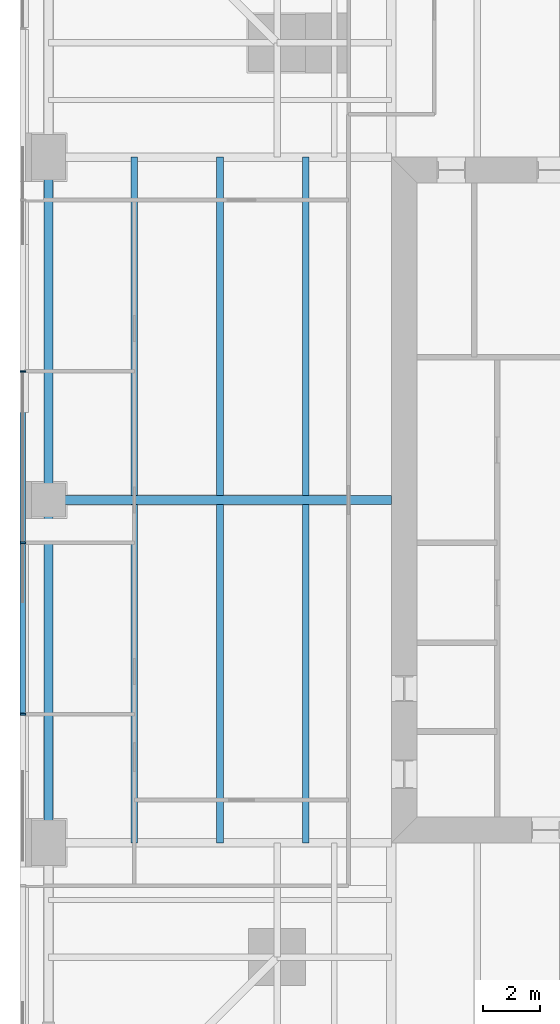
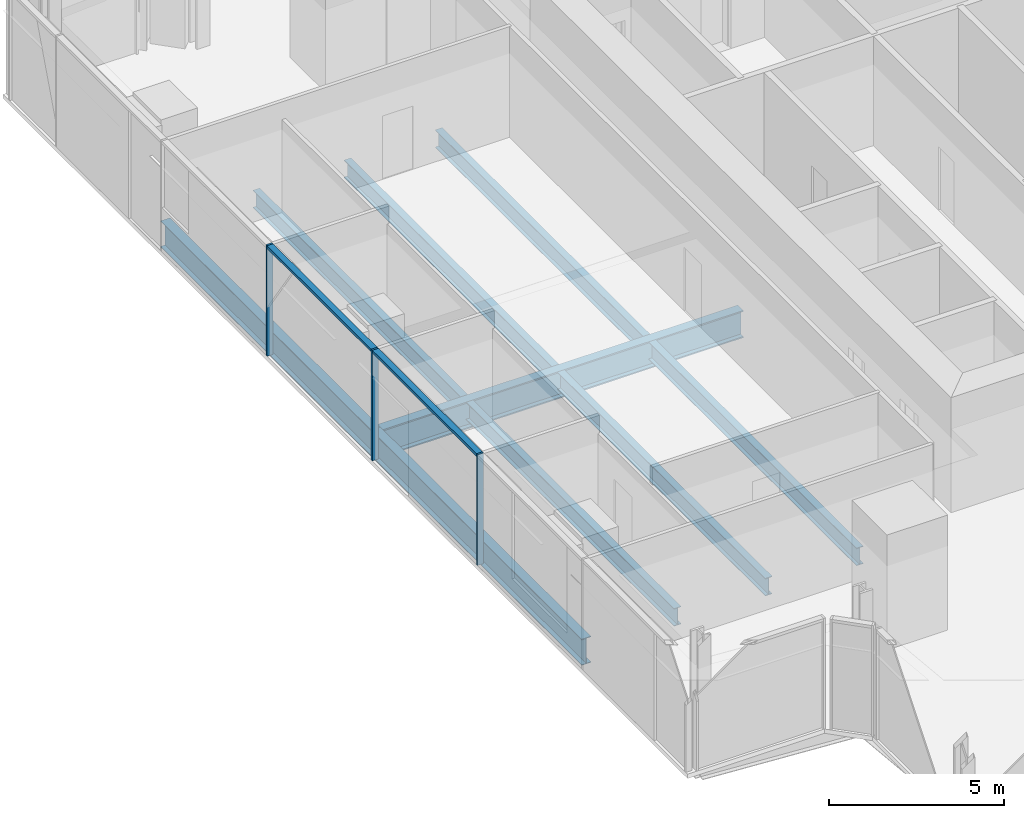
# One storey, part 4 of 14: 9 beams, 5 members, 1 element without a shape of its own.
"""IFC4 building model written with IfcOpenShell, lengths in metres."""

import ifcopenshell
import ifcopenshell.guid

model = None  # the IFC model being written
_history = None  # IfcOwnerHistory: only IFC2X3 demands one
_inside = {}  # id of a spatial element -> (the spatial element, [elements in it])
_under = {}  # id of a project, library or spatial element -> (it, [spatial elements below it])
_declared = {}  # id of a project -> (the project, [libraries it declares])
_typed = {}  # id of a type object -> (the type object, [elements of that type])
_made_of = {}  # id of a material, layer set ... -> (it, [elements and type objects made of it])


def new_model(schema):
    """Start an empty IFC model of exactly this schema.

    Asked for "IFC4X3", IfcOpenShell would pick the latest addendum, in which some entities
    have other attributes; the version numbers below select the first issue.
    IFC2X3 requires an IfcOwnerHistory on every rooted entity: one is made here for all.
    """
    global model, _history
    if schema == "IFC4X3":
        model = ifcopenshell.file(schema_version=(4, 3, 0, 0))
    else:
        model = ifcopenshell.file(schema=schema)
    _inside.clear()
    _under.clear()
    _declared.clear()
    _typed.clear()
    _made_of.clear()
    _history = None
    if model.schema == "IFC2X3":
        org = make("IfcOrganization", Name="unknown")
        user = make(
            "IfcPersonAndOrganization",
            ThePerson=make("IfcPerson", FamilyName="unknown"),
            TheOrganization=org,
        )
        app = make(
            "IfcApplication",
            ApplicationDeveloper=org,
            Version="unknown",
            ApplicationFullName="unknown",
            ApplicationIdentifier="unknown",
        )
        _history = make(
            "IfcOwnerHistory",
            OwningUser=user,
            OwningApplication=app,
            ChangeAction="ADDED",
            CreationDate=0,
        )
    return model


def make(cls, **values):
    """One entity of the class cls with the attributes given. An attribute that is None is left unset."""
    return model.create_entity(
        cls, **{name: value for name, value in values.items() if value is not None}
    )


def rooted(cls, **values):
    """An entity with a GlobalId (a new one), such as an element, a storey or a relation."""
    return make(cls, GlobalId=ifcopenshell.guid.new(), OwnerHistory=_history, **values)


def si_unit(unit_type, name, prefix=None):
    """IfcSIUnit, for example si_unit("LENGTHUNIT", "METRE", prefix="MILLI")."""
    return make("IfcSIUnit", UnitType=unit_type, Prefix=prefix, Name=name)


def assignment(units):
    """IfcUnitAssignment: the units of a project."""
    return None if units is None else make("IfcUnitAssignment", Units=units)


def point(xyz):
    """IfcCartesianPoint."""
    return None if xyz is None else make("IfcCartesianPoint", Coordinates=xyz)


def direction(xyz):
    """IfcDirection."""
    return None if xyz is None else make("IfcDirection", DirectionRatios=xyz)


def frame(location, z_axis=None, x_axis=None):
    """IfcAxis2Placement3D, a coordinate frame: its origin and axes. An axis left out is left unset."""
    return make(
        "IfcAxis2Placement3D",
        Location=point(location),
        Axis=direction(z_axis),
        RefDirection=direction(x_axis),
    )


def frame_2d(location, x_axis=None):
    """IfcAxis2Placement2D, a coordinate frame in the plane: its origin and x axis."""
    return make(
        "IfcAxis2Placement2D", Location=point(location), RefDirection=direction(x_axis)
    )


def origin():
    """The frame at (0, 0, 0) with its axes left unset."""
    return frame((0.0, 0.0, 0.0))


def origin_2d():
    """The frame at (0, 0) in the plane with its x axis left unset."""
    return frame_2d((0.0, 0.0))


def place(relative_to, where):
    """IfcLocalPlacement: puts the frame where relative to a parent placement (None: the world)."""
    return make(
        "IfcLocalPlacement", PlacementRelTo=relative_to, RelativePlacement=where
    )


def context(
    kind, dimensions, precision=None, world=None, true_north=None, identifier=None
):
    """IfcGeometricRepresentationContext, for example the 3D "Model" context."""
    return make(
        "IfcGeometricRepresentationContext",
        ContextIdentifier=identifier,
        ContextType=kind,
        CoordinateSpaceDimension=dimensions,
        Precision=precision,
        WorldCoordinateSystem=world,
        TrueNorth=true_north,
    )


def subcontext(parent, identifier, kind, view, scale=None):
    """IfcGeometricRepresentationSubContext, for example "Body" below "Model"."""
    return make(
        "IfcGeometricRepresentationSubContext",
        ContextIdentifier=identifier,
        ContextType=kind,
        ParentContext=parent,
        TargetScale=scale,
        TargetView=view,
    )


def project(units=None, contexts=None):
    """IfcProject with its units and contexts."""
    return rooted(
        "IfcProject",
        Name="project",
        RepresentationContexts=contexts,
        UnitsInContext=assignment(units),
    )


def spatial(cls, under=None, at=None, **own):
    """A site, building, storey or space (cls), placed at a placement, below another one or the project."""
    s = rooted(cls, ObjectPlacement=at, **own)
    if under is not None:
        _under.setdefault(under.id(), (under, []))[1].append(s)
    return s


def profile(cls, at=None, kind="AREA", **sizes):
    """A parametric profile (cls). Its sizes go by their IFC names, for example OverallWidth=200.0."""
    return make(cls, ProfileType=kind, Position=at, **sizes)


def rectangle(**sizes):
    """IfcRectangleProfileDef."""
    return profile("IfcRectangleProfileDef", **sizes)


def i_section(**sizes):
    """IfcIShapeProfileDef."""
    return profile("IfcIShapeProfileDef", **sizes)


def extrude(swept, where, along, depth):
    """IfcExtrudedAreaSolid: the profile swept, set in the frame where, extruded along a direction by depth."""
    return make(
        "IfcExtrudedAreaSolid",
        SweptArea=swept,
        Position=where,
        ExtrudedDirection=direction(along),
        Depth=depth,
    )


def shape(context_of_items, identifier, shape_type, items):
    """IfcShapeRepresentation: the items that make up one representation, for example the "Body"."""
    return make(
        "IfcShapeRepresentation",
        ContextOfItems=context_of_items,
        RepresentationIdentifier=identifier,
        RepresentationType=shape_type,
        Items=items,
    )


def material(Name=None, Category=None):
    """IfcMaterial."""
    return make("IfcMaterial", Name=Name, Category=Category)


def material_profile(
    of_material, cross_section, Name=None, Category=None, Priority=None
):
    """IfcMaterialProfile: a cross section and its material."""
    return make(
        "IfcMaterialProfile",
        Name=Name,
        Material=of_material,
        Profile=cross_section,
        Priority=Priority,
        Category=Category,
    )


def profile_set(profiles, Name=None, composite=None):
    """IfcMaterialProfileSet."""
    return make(
        "IfcMaterialProfileSet",
        Name=Name,
        MaterialProfiles=profiles,
        CompositeProfile=composite,
    )


def made_of(thing, what):
    """Note that an element or type object is made of a material, layer set ...; save() writes the relation."""
    if what is not None:
        _made_of.setdefault(what.id(), (what, []))[1].append(thing)
    return thing


def type_object(cls, material=None, **own):
    """A type object (cls), such as IfcWallType, which elements share."""
    return made_of(rooted(cls, **own), material)


def element(
    cls,
    number,
    at=None,
    inside=None,
    cuts=None,
    type_object=None,
    material=None,
    context=None,
    identifier="Body",
    shape_type=None,
    held_by="IfcProductDefinitionShape",
    body=None,
    shapes=None,
    **own,
):
    """One element of the class cls, such as IfcWall. Its Tag is "e" and its number.

    at: its placement. inside: the storey or other place that contains it. cuts: it is an
    opening in that element (IfcRelVoidsElement). A single representation is given by context,
    identifier, shape_type and body (its items); several are given by shapes. held_by: the class
    of the entity that holds the representations. save() writes the other relations.
    """
    e = rooted(cls, Tag="e%d" % number, ObjectPlacement=at, **own)
    if body is not None:
        shapes = [shape(context, identifier, shape_type, body)]
    if shapes is not None:
        e.Representation = make(held_by, Representations=shapes)
    if inside is not None:
        _inside.setdefault(inside.id(), (inside, []))[1].append(e)
    if cuts is not None:
        rooted(
            "IfcRelVoidsElement", RelatingBuildingElement=cuts, RelatedOpeningElement=e
        )
    if type_object is not None:
        _typed.setdefault(type_object.id(), (type_object, []))[1].append(e)
    return made_of(e, material)


def aggregate(whole, parts):
    """IfcRelAggregates: a whole, such as a stair, and the parts it consists of."""
    return rooted("IfcRelAggregates", RelatingObject=whole, RelatedObjects=parts)


def save(model, path):
    """Write the relations noted so far, then the file.

    IfcRelAggregates (storeys below a building ...), IfcRelContainedInSpatialStructure (elements
    in a storey), IfcRelDefinesByType, IfcRelAssociatesMaterial and IfcRelDeclares: one each for
    every whole, place, type object, material and project.
    """
    for whole, parts in _under.values():
        aggregate(whole, parts)
    for where, things in _inside.values():
        rooted(
            "IfcRelContainedInSpatialStructure",
            RelatedElements=things,
            RelatingStructure=where,
        )
    for kind, things in _typed.values():
        rooted("IfcRelDefinesByType", RelatedObjects=things, RelatingType=kind)
    for what, things in _made_of.values():
        rooted("IfcRelAssociatesMaterial", RelatedObjects=things, RelatingMaterial=what)
    for by, libraries in _declared.values():
        rooted("IfcRelDeclares", RelatingContext=by, RelatedDefinitions=libraries)
    model.write(path)


model = new_model("IFC4")

# Units and contexts
model_context = context("Model", 3, precision=1e-05, world=origin(), true_north=direction((0.0, 1.0)))
body_context = subcontext(model_context, "Body", "Model", "MODEL_VIEW")
ifc_project = project(units=[si_unit("LENGTHUNIT", "METRE"), si_unit("AREAUNIT", "SQUARE_METRE"), si_unit("VOLUMEUNIT", "CUBIC_METRE"), si_unit("PLANEANGLEUNIT", "RADIAN"), si_unit("MASSUNIT", "GRAM", prefix="KILO")], contexts=[model_context])

# Site, building, storey
site_placement = place(None, origin())
site = spatial("IfcSite", under=ifc_project, at=site_placement, CompositionType="ELEMENT")
building_placement = place(site_placement, origin())
building = spatial("IfcBuilding", under=site, at=building_placement, Name="Fenwick Lantern Interchange", CompositionType="ELEMENT")
storey_placement = place(building_placement, frame((0.0, 0.0, 173.800048828125)))
storey = spatial("IfcBuildingStorey", under=building, at=storey_placement, Name="L40", CompositionType="ELEMENT", Elevation=173.800048828125)

# Beams
ifc_material_1 = material(Name="Steel ASTM A992 Grade 50", Category="steel")
ifc_material_profile_1 = material_profile(ifc_material_1, i_section(OverallWidth=0.3046875, OverallDepth=0.911865234375, WebThickness=0.015869140625, FlangeThickness=0.02392578125, at=origin_2d()), Name="W36X150")
ifc_profile_set_1 = profile_set([ifc_material_profile_1], Name="Steel ASTM A992 Grade 50")
beam_type_1 = type_object("IfcBeamType", Name="EDGE BEAM W36X150", PredefinedType="SPANDREL", material=ifc_profile_set_1)
for number, where, z_axis, x_axis, name in (
    (1, (1.0, 37.0, -0.60595703125), (0.0, -1.0, 0.0), (1.0, 0.0, 0.0), "L40/FR/W/EB2"),
    (2, (1.0, 25.0, -0.60595703125), (0.0, -1.0, 0.0), (1.0, 0.0, 0.0), "L40/FR/W/EB3"),
):
    element("IfcBeam", number, at=place(storey_placement, frame(where, z_axis=z_axis, x_axis=x_axis)), inside=storey, type_object=beam_type_1, Name=name, PredefinedType="SPANDREL", context=body_context, shape_type="SweptSolid", body=[
        extrude(i_section(OverallWidth=0.3046875, OverallDepth=0.911865234375, WebThickness=0.015869140625, FlangeThickness=0.02392578125, at=origin_2d()), origin(), (0.0, 0.0, 1.0), 12.0),
    ])
ifc_material_profile_2 = material_profile(ifc_material_1, i_section(OverallWidth=0.22900390625, OverallDepth=0.612060546875, WebThickness=0.011962890625, FlangeThickness=0.01953125, at=origin_2d()), Name="W24X84")
ifc_profile_set_2 = profile_set([ifc_material_profile_2], Name="Steel ASTM A992 Grade 50")
beam_type_2 = type_object("IfcBeamType", Name="FLOOR BEAM W24X84", PredefinedType="BEAM", material=ifc_profile_set_2)
for number, where, z_axis, x_axis, name in (
    (3, (4.0, 37.0, -0.4560546875), (0.0, -1.0, 0.0), (1.0, 0.0, 0.0), "L40/FR/W/B01"),
    (4, (7.0, 37.0, -0.4560546875), (0.0, -1.0, 0.0), (1.0, 0.0, 0.0), "L40/FR/W/B02"),
    (5, (10.0, 37.0, -0.4560546875), (0.0, -1.0, 0.0), (1.0, 0.0, 0.0), "L40/FR/W/B03"),
    (6, (4.0, 24.844970703125, -0.4560546875), (0.0, -1.0, 0.0), (1.0, 0.0, 0.0), "L40/FR/W/B04"),
    (7, (7.0, 24.844970703125, -0.4560546875), (0.0, -1.0, 0.0), (1.0, 0.0, 0.0), "L40/FR/W/B05"),
    (8, (10.0, 24.844970703125, -0.4560546875), (0.0, -1.0, 0.0), (1.0, 0.0, 0.0), "L40/FR/W/B06"),
):
    element("IfcBeam", number, at=place(storey_placement, frame(where, z_axis=z_axis, x_axis=x_axis)), inside=storey, type_object=beam_type_2, Name=name, PredefinedType="BEAM", context=body_context, shape_type="SweptSolid", body=[
        extrude(i_section(OverallWidth=0.22900390625, OverallDepth=0.612060546875, WebThickness=0.011962890625, FlangeThickness=0.01953125, at=origin_2d()), origin(), (0.0, 0.0, 1.0), 11.844970703125),
    ])
ifc_material_profile_3 = material_profile(ifc_material_1, i_section(OverallWidth=0.309814453125, OverallDepth=0.949951171875, WebThickness=0.0244140625, FlangeThickness=0.0439453125, at=origin_2d()), Name="W36X256")
ifc_profile_set_3 = profile_set([ifc_material_profile_3], Name="Steel ASTM A992 Grade 50")
beam_type_3 = type_object("IfcBeamType", Name="MOMENT-CONNECTED GIRDER W36X256", PredefinedType="BEAM", material=ifc_profile_set_3)
beam_placement = place(storey_placement, frame((1.0, 25.0, -0.625), z_axis=(1.0, 0.0, 0.0), x_axis=(0.0, 1.0, 0.0)))
element("IfcBeam", 9, at=beam_placement, inside=storey, type_object=beam_type_3, Name="L40/FR/W/R02", PredefinedType="BEAM", context=body_context, shape_type="SweptSolid", body=[
    extrude(i_section(OverallWidth=0.309814453125, OverallDepth=0.949951171875, WebThickness=0.0244140625, FlangeThickness=0.0439453125, at=origin_2d()), origin(), (0.0, 0.0, 1.0), 12.0),
])

# Curtain wall, members
ifc_material_2 = material(Name="Aluminium curtain wall frame", Category="aluminium")
curtain_wall_type = type_object("IfcCurtainWallType", Name="OFFICE CURTAIN WALL", PredefinedType="USERDEFINED", material=ifc_material_2)
curtain_wall_placement = place(storey_placement, origin())
curtain_wall = element("IfcCurtainWall", 10, at=curtain_wall_placement, inside=storey, type_object=curtain_wall_type, Name="Office curtain wall 13", ObjectType="OFFICE CURTAIN WALL", PredefinedType="USERDEFINED")
ifc_material_3 = material(Name="Aluminium extrusion", Category="aluminium")
ifc_material_profile_4 = material_profile(ifc_material_3, rectangle(XDim=0.199951171875, YDim=0.06494140625, at=origin_2d()), Name="OFFICE CURTAIN WALL MULLION 65 X 200")
ifc_profile_set_4 = profile_set([ifc_material_profile_4], Name="Aluminium extrusion")
member_type_1 = type_object("IfcMemberType", Name="OFFICE CURTAIN WALL MULLION 65 X 200", PredefinedType="MULLION", material=ifc_profile_set_4)
member_1_placement = place(storey_placement, frame((0.10009765625, 29.5, 0.0), z_axis=(0.0, 0.0, 1.0), x_axis=(1.0, 0.0, 0.0)))
member_1 = element("IfcMember", 11, at=member_1_placement, type_object=member_type_1, Name="L40/CW/13/M03", PredefinedType="MULLION", context=body_context, shape_type="SweptSolid", body=[
    extrude(rectangle(XDim=0.199951171875, YDim=0.06494140625, at=origin_2d()), origin(), (0.0, 0.0, 1.0), 3.849853515625),
])
member_2_placement = place(storey_placement, frame((0.10009765625, 23.5, 0.0), z_axis=(0.0, 0.0, 1.0), x_axis=(1.0, 0.0, 0.0)))
member_2 = element("IfcMember", 12, at=member_2_placement, type_object=member_type_1, Name="L40/CW/13/M04", PredefinedType="MULLION", context=body_context, shape_type="SweptSolid", body=[
    extrude(rectangle(XDim=0.199951171875, YDim=0.06494140625, at=origin_2d()), origin(), (0.0, 0.0, 1.0), 3.849853515625),
])
member_3_placement = place(storey_placement, frame((0.10009765625, 17.5, 0.0), z_axis=(0.0, 0.0, 1.0), x_axis=(1.0, 0.0, 0.0)))
member_3 = element("IfcMember", 13, at=member_3_placement, type_object=member_type_1, Name="L40/CW/13/M05", PredefinedType="MULLION", context=body_context, shape_type="SweptSolid", body=[
    extrude(rectangle(XDim=0.199951171875, YDim=0.06494140625, at=origin_2d()), origin(), (0.0, 0.0, 1.0), 3.849853515625),
])
ifc_material_profile_5 = material_profile(ifc_material_3, rectangle(XDim=0.199951171875, YDim=0.10009765625, at=origin_2d()), Name="OFFICE CURTAIN WALL TRANSOM 100 X 200")
ifc_profile_set_5 = profile_set([ifc_material_profile_5], Name="Aluminium extrusion")
member_type_2 = type_object("IfcMemberType", Name="OFFICE CURTAIN WALL TRANSOM 100 X 200", PredefinedType="MULLION", material=ifc_profile_set_5)
member_4_placement = place(storey_placement, frame((0.10009765625, 29.467529296875, 3.800048828125), z_axis=(0.0, -1.0, 0.0), x_axis=(1.0, 0.0, 0.0)))
member_4 = element("IfcMember", 14, at=member_4_placement, type_object=member_type_2, Name="L40/CW/13/T03", PredefinedType="MULLION", context=body_context, shape_type="SweptSolid", body=[
    extrude(rectangle(XDim=0.199951171875, YDim=0.10009765625, at=origin_2d()), origin(), (0.0, 0.0, 1.0), 5.93505859375),
])
member_5_placement = place(storey_placement, frame((0.10009765625, 23.467529296875, 3.800048828125), z_axis=(0.0, -1.0, 0.0), x_axis=(1.0, 0.0, 0.0)))
member_5 = element("IfcMember", 15, at=member_5_placement, type_object=member_type_2, Name="L40/CW/13/T04", PredefinedType="MULLION", context=body_context, shape_type="SweptSolid", body=[
    extrude(rectangle(XDim=0.199951171875, YDim=0.10009765625, at=origin_2d()), origin(), (0.0, 0.0, 1.0), 5.93505859375),
])
aggregate(curtain_wall, [member_1, member_2, member_3, member_4, member_5])

save(model, "model.ifc")
